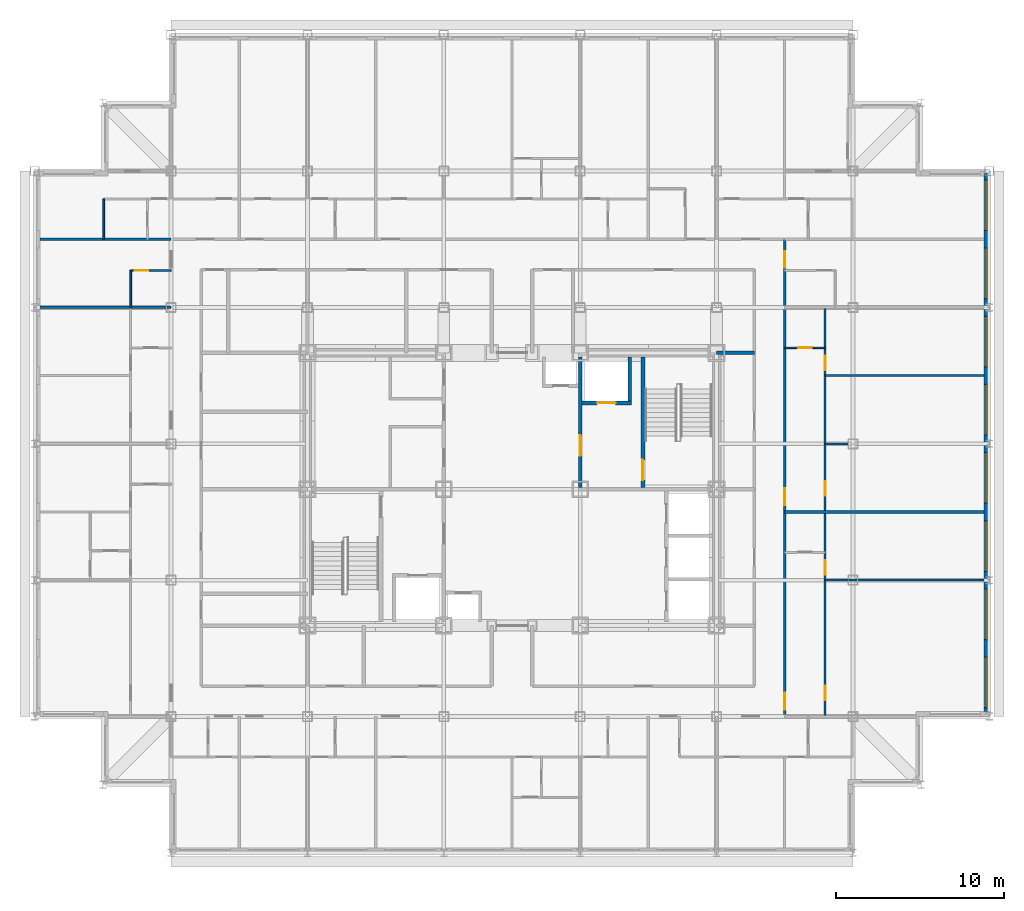
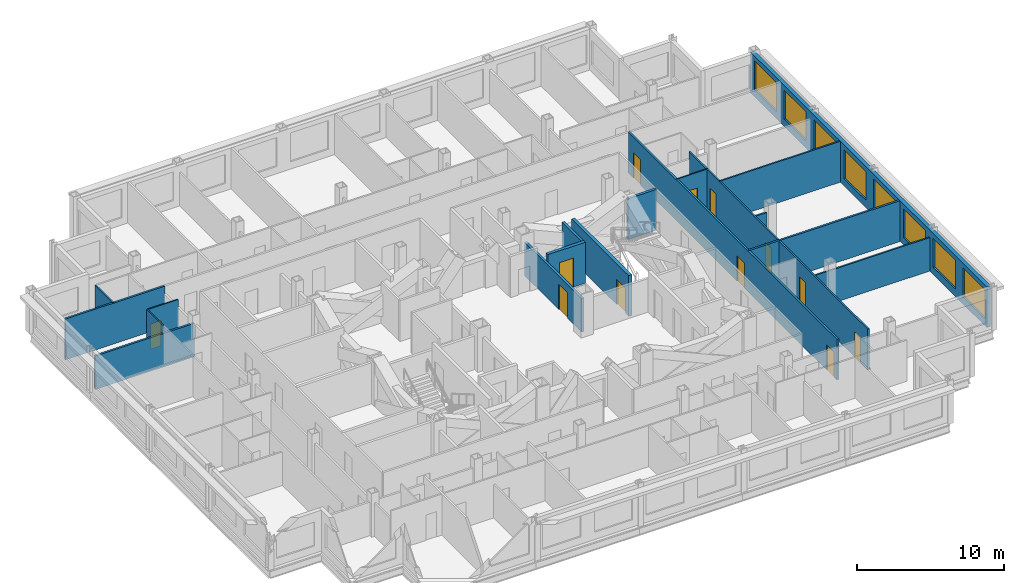
# One storey, part 8 of 12: 18 walls, 12 doors, 8 windows, 20 openings.
"""IFC4 building model written with IfcOpenShell, lengths in metres."""

from ifc_helpers import new_model, si_unit, direction, frame, frame_2d, origin, place, context, subcontext, project, spatial, rectangle, extrude, material, layer, layer_set, type_object, element, fill, save


model = new_model("IFC4")

# Units and contexts
model_context = context("Model", 3, precision=1e-05, world=origin(), true_north=direction((0.0, 1.0)))
body_context = subcontext(model_context, "Body", "Model", "MODEL_VIEW")
ifc_project = project(units=[si_unit("LENGTHUNIT", "METRE"), si_unit("AREAUNIT", "SQUARE_METRE"), si_unit("VOLUMEUNIT", "CUBIC_METRE"), si_unit("PLANEANGLEUNIT", "RADIAN"), si_unit("MASSUNIT", "GRAM", prefix="KILO")], contexts=[model_context])

# Site, building, storey
site_placement = place(None, origin())
site = spatial("IfcSite", under=ifc_project, at=site_placement, CompositionType="ELEMENT")
building_placement = place(site_placement, origin())
building = spatial("IfcBuilding", under=site, at=building_placement, Name="Kopane Lantern Tower", CompositionType="ELEMENT")
storey_placement = place(building_placement, frame((0.0, 0.0, 206.39990234375)))
storey = spatial("IfcBuildingStorey", under=building, at=storey_placement, Name="L53", CompositionType="ELEMENT", Elevation=206.39990234375)

# Wall, openings, doors
ifc_material_1 = material(Name="Gypsum board on steel studs", Category="steel")
ifc_layer_1 = layer(ifc_material_1, 0.1201171875)
ifc_layer_set_1 = layer_set([ifc_layer_1], Name="APARTMENT INTERNAL WALL 120")
wall_type_1 = type_object("IfcWallType", Name="APARTMENT INTERNAL WALL 120", PredefinedType="PARTITIONING", material=ifc_layer_set_1)
wall_1_placement = place(storey_placement, frame((46.949951171875, 18.89990234375, 0.0), z_axis=(0.0, 0.0, 1.0), x_axis=(0.0, 1.0, 0.0)))
wall_1 = element("IfcWall", 1, at=wall_1_placement, inside=storey, type_object=wall_type_1, Name="Apartment Internal Wall 120 L53", PredefinedType="PARTITIONING", context=body_context, shape_type="SweptSolid", body=[
    extrude(rectangle(XDim=24.300048828125, YDim=0.1201171875, at=frame_2d((12.14990234375, 0.0))), origin(), (0.0, 0.0, 1.0), 3.39013671875),
])
opening_1_placement = place(wall_1_placement, frame((0.97509765625, 0.0, 0.0)))
opening_1 = element("IfcOpeningElement", 2, at=opening_1_placement, cuts=wall_1, Name="Opening L53-055", PredefinedType="OPENING", context=body_context, shape_type="SweptSolid", body=[
    extrude(rectangle(XDim=0.85009765625, YDim=2.10009765625, at=frame_2d((0.425048828125, 1.050048828125))), frame((0.0, 0.070068359375, 0.0), z_axis=(0.0, -1.0, 0.0), x_axis=(1.0, 0.0, 0.0)), (0.0, 0.0, 1.0), 0.14013671875),
])
opening_2_placement = place(wall_1_placement, frame((8.425048828125, 0.0, 0.0)))
opening_2 = element("IfcOpeningElement", 3, at=opening_2_placement, cuts=wall_1, Name="Opening L53-056", PredefinedType="OPENING", context=body_context, shape_type="SweptSolid", body=[
    extrude(rectangle(XDim=0.85009765625, YDim=2.10009765625, at=frame_2d((0.425048828125, 1.050048828125))), frame((0.0, 0.070068359375, 0.0), z_axis=(0.0, -1.0, 0.0), x_axis=(1.0, 0.0, 0.0)), (0.0, 0.0, 1.0), 0.14013671875),
])
opening_3_placement = place(wall_1_placement, frame((13.125, 0.0, 0.0)))
opening_3 = element("IfcOpeningElement", 4, at=opening_3_placement, cuts=wall_1, Name="Opening L53-059", PredefinedType="OPENING", context=body_context, shape_type="SweptSolid", body=[
    extrude(rectangle(XDim=0.85009765625, YDim=2.10009765625, at=frame_2d((0.425048828125, 1.050048828125))), frame((0.0, 0.070068359375, 0.0), z_axis=(0.0, -1.0, 0.0), x_axis=(1.0, 0.0, 0.0)), (0.0, 0.0, 1.0), 0.14013671875),
])
opening_4_placement = place(wall_1_placement, frame((20.574951171875, 0.0, 0.0)))
opening_4 = element("IfcOpeningElement", 5, at=opening_4_placement, cuts=wall_1, Name="Opening L53-060", PredefinedType="OPENING", context=body_context, shape_type="SweptSolid", body=[
    extrude(rectangle(XDim=0.85009765625, YDim=2.10009765625, at=frame_2d((0.425048828125, 1.050048828125))), frame((0.0, 0.070068359375, 0.0), z_axis=(0.0, -1.0, 0.0), x_axis=(1.0, 0.0, 0.0)), (0.0, 0.0, 1.0), 0.14013671875),
])
ifc_material_2 = material(Name="Timber door set", Category="wood")
door_type_1 = type_object("IfcDoorType", Name="DOOR D4 850x2100", OperationType="SINGLE_SWING_LEFT", PredefinedType="DOOR", material=ifc_material_2)
door_1_placement = place(opening_1_placement, origin())
door_1 = element("IfcDoor", 6, at=door_1_placement, inside=storey, type_object=door_type_1, Name="Door L53-055", OperationType="SINGLE_SWING_LEFT", OverallHeight=2.10009765625, OverallWidth=0.85009765625, PredefinedType="DOOR", context=body_context, shape_type="SweptSolid", body=[
    extrude(rectangle(XDim=0.85009765625, YDim=2.10009765625, at=frame_2d((0.425048828125, 1.050048828125))), frame((0.0, 0.02490234375, 0.0), z_axis=(0.0, -1.0, 0.0), x_axis=(1.0, 0.0, 0.0)), (0.0, 0.0, 1.0), 0.050048828125),
])
fill(opening_1, door_1)
door_2_placement = place(opening_2_placement, origin())
door_2 = element("IfcDoor", 7, at=door_2_placement, inside=storey, type_object=door_type_1, Name="Door L53-056", OperationType="SINGLE_SWING_RIGHT", OverallHeight=2.10009765625, OverallWidth=0.85009765625, PredefinedType="DOOR", context=body_context, shape_type="SweptSolid", body=[
    extrude(rectangle(XDim=0.85009765625, YDim=2.10009765625, at=frame_2d((0.425048828125, 1.050048828125))), frame((0.0, 0.02490234375, 0.0), z_axis=(0.0, -1.0, 0.0), x_axis=(1.0, 0.0, 0.0)), (0.0, 0.0, 1.0), 0.050048828125),
])
fill(opening_2, door_2)
door_3_placement = place(opening_3_placement, origin())
door_3 = element("IfcDoor", 8, at=door_3_placement, inside=storey, type_object=door_type_1, Name="Door L53-059", OperationType="SINGLE_SWING_LEFT", OverallHeight=2.10009765625, OverallWidth=0.85009765625, PredefinedType="DOOR", context=body_context, shape_type="SweptSolid", body=[
    extrude(rectangle(XDim=0.85009765625, YDim=2.10009765625, at=frame_2d((0.425048828125, 1.050048828125))), frame((0.0, 0.02490234375, 0.0), z_axis=(0.0, -1.0, 0.0), x_axis=(1.0, 0.0, 0.0)), (0.0, 0.0, 1.0), 0.050048828125),
])
fill(opening_3, door_3)
door_4_placement = place(opening_4_placement, origin())
door_4 = element("IfcDoor", 9, at=door_4_placement, inside=storey, type_object=door_type_1, Name="Door L53-060", OperationType="SINGLE_SWING_RIGHT", OverallHeight=2.10009765625, OverallWidth=0.85009765625, PredefinedType="DOOR", context=body_context, shape_type="SweptSolid", body=[
    extrude(rectangle(XDim=0.85009765625, YDim=2.10009765625, at=frame_2d((0.425048828125, 1.050048828125))), frame((0.0, 0.02490234375, 0.0), z_axis=(0.0, -1.0, 0.0), x_axis=(1.0, 0.0, 0.0)), (0.0, 0.0, 1.0), 0.050048828125),
])
fill(opening_4, door_4)

# Walls
wall_2_placement = place(storey_placement, frame((46.949951171875, 27.0, 0.0), z_axis=(0.0, 0.0, 1.0), x_axis=(1.0, 0.0, 0.0)))
element("IfcWall", 10, at=wall_2_placement, inside=storey, type_object=wall_type_1, Name="Apartment Internal Wall 120 L53", PredefinedType="PARTITIONING", context=body_context, shape_type="SweptSolid", body=[
    extrude(rectangle(XDim=9.449951171875, YDim=0.1201171875, at=frame_2d((4.72509765625, 0.0))), origin(), (0.0, 0.0, 1.0), 2.77783203125),
])
wall_3_placement = place(storey_placement, frame((46.949951171875, 39.14990234375, 0.0), z_axis=(0.0, 0.0, 1.0), x_axis=(1.0, 0.0, 0.0)))
element("IfcWall", 11, at=wall_3_placement, inside=storey, type_object=wall_type_1, Name="Apartment Internal Wall 120 L53", PredefinedType="PARTITIONING", context=body_context, shape_type="SweptSolid", body=[
    extrude(rectangle(XDim=9.449951171875, YDim=0.1201171875, at=frame_2d((4.72509765625, 0.0))), origin(), (0.0, 0.0, 1.0), 3.39013671875),
])
wall_4_placement = place(storey_placement, frame((46.949951171875, 35.10009765625, 0.0), z_axis=(0.0, 0.0, 1.0), x_axis=(1.0, 0.0, 0.0)))
element("IfcWall", 12, at=wall_4_placement, inside=storey, type_object=wall_type_1, Name="Apartment Internal Wall 120 L53", PredefinedType="PARTITIONING", context=body_context, shape_type="SweptSolid", body=[
    extrude(rectangle(XDim=1.35009765625, YDim=0.1201171875, at=frame_2d((0.675048828125, 0.0))), origin(), (0.0, 0.0, 1.0), 2.77783203125),
])
ifc_material_3 = material(Name="Moisture-resistant board on steel studs", Category="steel")
ifc_layer_2 = layer(ifc_material_3, 0.10009765625)
ifc_layer_set_2 = layer_set([ifc_layer_2], Name="BATHROOM WALL 100")
wall_type_2 = type_object("IfcWallType", Name="BATHROOM WALL 100", PredefinedType="PARTITIONING", material=ifc_layer_set_2)
wall_5_placement = place(storey_placement, frame((5.699951171875, 43.199951171875, 0.0), z_axis=(0.0, 0.0, 1.0), x_axis=(0.0, 1.0, 0.0)))
element("IfcWall", 13, at=wall_5_placement, inside=storey, type_object=wall_type_2, Name="Bathroom Wall 100 L53", PredefinedType="PARTITIONING", context=body_context, shape_type="SweptSolid", body=[
    extrude(rectangle(XDim=2.199951171875, YDim=0.10009765625, at=frame_2d((1.10009765625, 0.0))), origin(), (0.0, 0.0, 1.0), 3.39013671875),
])

# Wall, opening, door
wall_6_placement = place(storey_placement, frame((8.10009765625, 45.39990234375, 0.0), z_axis=(0.0, 0.0, 1.0), x_axis=(-1.0, 0.0, 0.0)))
wall_6 = element("IfcWall", 14, at=wall_6_placement, inside=storey, type_object=wall_type_2, Name="Bathroom Wall 100 L53", PredefinedType="PARTITIONING", context=body_context, shape_type="SweptSolid", body=[
    extrude(rectangle(XDim=2.400146484375, YDim=0.10009765625, at=frame_2d((1.2001953125, 0.0))), origin(), (0.0, 0.0, 1.0), 3.39013671875),
])
opening_5_placement = place(wall_6_placement, frame((1.35009765625, 0.0, 0.0)))
opening_5 = element("IfcOpeningElement", 15, at=opening_5_placement, cuts=wall_6, Name="Opening L53-051", PredefinedType="OPENING", context=body_context, shape_type="SweptSolid", body=[
    extrude(rectangle(XDim=0.800048828125, YDim=2.10009765625, at=frame_2d((0.39990234375, 1.050048828125))), frame((0.0, 0.06005859375, 0.0), z_axis=(0.0, -1.0, 0.0), x_axis=(1.0, 0.0, 0.0)), (0.0, 0.0, 1.0), 0.1201171875),
])
ifc_material_4 = material(Name="Timber door set", Category="wood")
door_type_2 = type_object("IfcDoorType", Name="DOOR D2 800x2100", OperationType="SINGLE_SWING_LEFT", PredefinedType="DOOR", material=ifc_material_4)
door_5_placement = place(opening_5_placement, origin())
door_5 = element("IfcDoor", 16, at=door_5_placement, inside=storey, type_object=door_type_2, Name="Door L53-051", OperationType="SINGLE_SWING_RIGHT", OverallHeight=2.10009765625, OverallWidth=0.800048828125, PredefinedType="DOOR", context=body_context, shape_type="SweptSolid", body=[
    extrude(rectangle(XDim=0.800048828125, YDim=2.10009765625, at=frame_2d((0.39990234375, 1.050048828125))), frame((0.0, 0.02490234375, 0.0), z_axis=(0.0, -1.0, 0.0), x_axis=(1.0, 0.0, 0.0)), (0.0, 0.0, 1.0), 0.050048828125),
])
fill(opening_5, door_5)

wall_7_placement = place(storey_placement, frame((44.550048828125, 40.800048828125, 0.0), z_axis=(0.0, 0.0, 1.0), x_axis=(1.0, 0.0, 0.0)))
wall_7 = element("IfcWall", 17, at=wall_7_placement, inside=storey, type_object=wall_type_2, Name="Bathroom Wall 100 L53", PredefinedType="PARTITIONING", context=body_context, shape_type="SweptSolid", body=[
    extrude(rectangle(XDim=2.39990234375, YDim=0.10009765625, at=frame_2d((1.199951171875, 0.0))), origin(), (0.0, 0.0, 1.0), 3.39013671875),
])
opening_6_placement = place(wall_7_placement, frame((0.800048828125, 0.0, 0.0)))
opening_6 = element("IfcOpeningElement", 18, at=opening_6_placement, cuts=wall_7, Name="Opening L53-057", PredefinedType="OPENING", context=body_context, shape_type="SweptSolid", body=[
    extrude(rectangle(XDim=0.800048828125, YDim=2.10009765625, at=frame_2d((0.39990234375, 1.050048828125))), frame((0.0, 0.06005859375, 0.0), z_axis=(0.0, -1.0, 0.0), x_axis=(1.0, 0.0, 0.0)), (0.0, 0.0, 1.0), 0.1201171875),
])
door_6_placement = place(opening_6_placement, origin())
door_6 = element("IfcDoor", 19, at=door_6_placement, inside=storey, type_object=door_type_2, Name="Door L53-057", OperationType="SINGLE_SWING_LEFT", OverallHeight=2.10009765625, OverallWidth=0.800048828125, PredefinedType="DOOR", context=body_context, shape_type="SweptSolid", body=[
    extrude(rectangle(XDim=0.800048828125, YDim=2.10009765625, at=frame_2d((0.39990234375, 1.050048828125))), frame((0.0, 0.02490234375, 0.0), z_axis=(0.0, -1.0, 0.0), x_axis=(1.0, 0.0, 0.0)), (0.0, 0.0, 1.0), 0.050048828125),
])
fill(opening_6, door_6)

# Wall
wall_8_placement = place(storey_placement, frame((4.10009765625, 47.25, 0.0), z_axis=(0.0, 0.0, 1.0), x_axis=(0.0, 1.0, 0.0)))
element("IfcWall", 20, at=wall_8_placement, inside=storey, type_object=wall_type_2, Name="Bathroom Wall 100 L53", PredefinedType="PARTITIONING", context=body_context, shape_type="SweptSolid", body=[
    extrude(rectangle(XDim=2.39990234375, YDim=0.10009765625, at=frame_2d((1.199951171875, 0.0))), origin(), (0.0, 0.0, 1.0), 3.39013671875),
])

# Wall, opening, door
ifc_material_5 = material(Name="Gypsum shaft wall EI 120", Category="gypsum")
ifc_layer_3 = layer(ifc_material_5, 0.25)
ifc_layer_set_3 = layer_set([ifc_layer_3], Name="CORE SHAFT WALL 250 EI 120")
wall_type_3 = type_object("IfcWallType", Name="CORE SHAFT WALL 250 EI 120", PredefinedType="SOLIDWALL", material=ifc_layer_set_3)
wall_9_placement = place(storey_placement, frame((36.125, 32.5, 0.0), z_axis=(0.0, 0.0, 1.0), x_axis=(0.0, 1.0, 0.0)))
wall_9 = element("IfcWall", 21, at=wall_9_placement, inside=storey, type_object=wall_type_3, Name="Core shaft wall L53 XST2", PredefinedType="SOLIDWALL", context=body_context, shape_type="SweptSolid", body=[
    extrude(rectangle(XDim=7.75, YDim=0.25, at=frame_2d((3.875, 0.0))), origin(), (0.0, 0.0, 1.0), 3.39013671875),
])
opening_7_placement = place(wall_9_placement, frame((0.449951171875, 0.0, 0.0)))
opening_7 = element("IfcOpeningElement", 22, at=opening_7_placement, cuts=wall_9, Name="Opening 53.SD2", PredefinedType="OPENING", context=body_context, shape_type="SweptSolid", body=[
    extrude(rectangle(XDim=1.199951171875, YDim=2.10009765625, at=frame_2d((0.60009765625, 1.050048828125))), frame((0.0, 0.135009765625, 0.0), z_axis=(0.0, -1.0, 0.0), x_axis=(1.0, 0.0, 0.0)), (0.0, 0.0, 1.0), 0.27001953125),
])
ifc_material_6 = material(Name="Steel door set", Category="steel")
door_type_3 = type_object("IfcDoorType", Name="STAIR DOOR 1200x2100 FD60S", OperationType="SINGLE_SWING_LEFT", PredefinedType="DOOR", material=ifc_material_6)
door_7_placement = place(opening_7_placement, origin())
door_7 = element("IfcDoor", 23, at=door_7_placement, inside=storey, type_object=door_type_3, Name="Stair door ST2 L53", OperationType="SINGLE_SWING_RIGHT", OverallHeight=2.10009765625, OverallWidth=1.199951171875, PredefinedType="DOOR", context=body_context, shape_type="SweptSolid", body=[
    extrude(rectangle(XDim=1.199951171875, YDim=2.10009765625, at=frame_2d((0.60009765625, 1.050048828125))), frame((0.0, 0.02490234375, 0.0), z_axis=(0.0, -1.0, 0.0), x_axis=(1.0, 0.0, 0.0)), (0.0, 0.0, 1.0), 0.050048828125),
])
fill(opening_7, door_7)

wall_10_placement = place(storey_placement, frame((32.5, 37.52490234375, 0.0), z_axis=(0.0, 0.0, 1.0), x_axis=(1.0, 0.0, 0.0)))
wall_10 = element("IfcWall", 24, at=wall_10_placement, inside=storey, type_object=wall_type_3, Name="Core shaft wall L53 YLF2", PredefinedType="SOLIDWALL", context=body_context, shape_type="SweptSolid", body=[
    extrude(rectangle(XDim=2.949951171875, YDim=0.25, at=frame_2d((1.47509765625, 0.0))), origin(), (0.0, 0.0, 1.0), 3.39013671875),
])
opening_8_placement = place(wall_10_placement, frame((0.89990234375, 0.0, 0.0)))
opening_8 = element("IfcOpeningElement", 25, at=opening_8_placement, cuts=wall_10, Name="Opening 53.LD-LF2", PredefinedType="OPENING", context=body_context, shape_type="SweptSolid", body=[
    extrude(rectangle(XDim=1.10009765625, YDim=2.39990234375, at=frame_2d((0.550048828125, 1.199951171875))), frame((0.0, 0.135009765625, 0.0), z_axis=(0.0, -1.0, 0.0), x_axis=(1.0, 0.0, 0.0)), (0.0, 0.0, 1.0), 0.27001953125),
])
ifc_material_7 = material(Name="Steel door set", Category="steel")
door_type_4 = type_object("IfcDoorType", Name="LIFT LANDING DOOR 1100x2400 FD60", OperationType="DOUBLE_DOOR_SLIDING", PredefinedType="DOOR", material=ifc_material_7)
door_8_placement = place(opening_8_placement, origin())
door_8 = element("IfcDoor", 26, at=door_8_placement, inside=storey, type_object=door_type_4, Name="Landing door LF2 L53", OperationType="DOUBLE_DOOR_SLIDING", OverallHeight=2.39990234375, OverallWidth=1.10009765625, PredefinedType="DOOR", context=body_context, shape_type="SweptSolid", body=[
    extrude(rectangle(XDim=1.10009765625, YDim=2.39990234375, at=frame_2d((0.550048828125, 1.199951171875))), frame((0.0, 0.02490234375, 0.0), z_axis=(0.0, -1.0, 0.0), x_axis=(1.0, 0.0, 0.0)), (0.0, 0.0, 1.0), 0.050048828125),
])
fill(opening_8, door_8)

# Wall, openings, doors
ifc_material_8 = material(Name="Gypsum board on steel studs", Category="steel")
ifc_layer_4 = layer(ifc_material_8, 0.14990234375)
ifc_layer_set_4 = layer_set([ifc_layer_4], Name="CORRIDOR WALL 150 EI 60")
wall_type_4 = type_object("IfcWallType", Name="CORRIDOR WALL 150 EI 60", PredefinedType="PARTITIONING", material=ifc_layer_set_4)
wall_11_placement = place(storey_placement, frame((44.550048828125, 18.89990234375, 0.0), z_axis=(0.0, 0.0, 1.0), x_axis=(0.0, 1.0, 0.0)))
wall_11 = element("IfcWall", 27, at=wall_11_placement, inside=storey, type_object=wall_type_4, Name="Corridor Wall 150 Ei 60 L53", PredefinedType="PARTITIONING", context=body_context, shape_type="SweptSolid", body=[
    extrude(rectangle(XDim=28.35009765625, YDim=0.14990234375, at=frame_2d((14.175048828125, 0.0))), origin(), (0.0, 0.0, 1.0), 3.39013671875),
])
opening_9_placement = place(wall_11_placement, frame((0.39990234375, 0.0, 0.0)))
opening_9 = element("IfcOpeningElement", 28, at=opening_9_placement, cuts=wall_11, Name="Opening L53-054", PredefinedType="OPENING", context=body_context, shape_type="SweptSolid", body=[
    extrude(rectangle(XDim=1.0, YDim=2.10009765625, at=frame_2d((0.5, 1.050048828125))), frame((0.0, 0.0849609375, 0.0), z_axis=(0.0, -1.0, 0.0), x_axis=(1.0, 0.0, 0.0)), (0.0, 0.0, 1.0), 0.169921875),
])
opening_10_placement = place(wall_11_placement, frame((12.550048828125, 0.0, 0.0)))
opening_10 = element("IfcOpeningElement", 29, at=opening_10_placement, cuts=wall_11, Name="Opening L53-058", PredefinedType="OPENING", context=body_context, shape_type="SweptSolid", body=[
    extrude(rectangle(XDim=1.0, YDim=2.10009765625, at=frame_2d((0.5, 1.050048828125))), frame((0.0, 0.0849609375, 0.0), z_axis=(0.0, -1.0, 0.0), x_axis=(1.0, 0.0, 0.0)), (0.0, 0.0, 1.0), 0.169921875),
])
opening_11_placement = place(wall_11_placement, frame((26.64990234375, 0.0, 0.0)))
opening_11 = element("IfcOpeningElement", 30, at=opening_11_placement, cuts=wall_11, Name="Opening L53-062", PredefinedType="OPENING", context=body_context, shape_type="SweptSolid", body=[
    extrude(rectangle(XDim=1.0, YDim=2.10009765625, at=frame_2d((0.5, 1.050048828125))), frame((0.0, 0.0849609375, 0.0), z_axis=(0.0, -1.0, 0.0), x_axis=(1.0, 0.0, 0.0)), (0.0, 0.0, 1.0), 0.169921875),
])
ifc_material_9 = material(Name="Steel door set", Category="steel")
door_type_5 = type_object("IfcDoorType", Name="DOOR D3 1000x2100 FD30S", OperationType="SINGLE_SWING_LEFT", PredefinedType="DOOR", material=ifc_material_9)
door_9_placement = place(opening_9_placement, origin())
door_9 = element("IfcDoor", 31, at=door_9_placement, inside=storey, type_object=door_type_5, Name="Door L53-054", OperationType="SINGLE_SWING_RIGHT", OverallHeight=2.10009765625, OverallWidth=1.0, PredefinedType="DOOR", context=body_context, shape_type="SweptSolid", body=[
    extrude(rectangle(XDim=1.0, YDim=2.10009765625, at=frame_2d((0.5, 1.050048828125))), frame((0.0, 0.02490234375, 0.0), z_axis=(0.0, -1.0, 0.0), x_axis=(1.0, 0.0, 0.0)), (0.0, 0.0, 1.0), 0.050048828125),
])
fill(opening_9, door_9)
door_10_placement = place(opening_10_placement, origin())
door_10 = element("IfcDoor", 32, at=door_10_placement, inside=storey, type_object=door_type_5, Name="Door L53-058", OperationType="SINGLE_SWING_RIGHT", OverallHeight=2.10009765625, OverallWidth=1.0, PredefinedType="DOOR", context=body_context, shape_type="SweptSolid", body=[
    extrude(rectangle(XDim=1.0, YDim=2.10009765625, at=frame_2d((0.5, 1.050048828125))), frame((0.0, 0.02490234375, 0.0), z_axis=(0.0, -1.0, 0.0), x_axis=(1.0, 0.0, 0.0)), (0.0, 0.0, 1.0), 0.050048828125),
])
fill(opening_10, door_10)
door_11_placement = place(opening_11_placement, origin())
door_11 = element("IfcDoor", 33, at=door_11_placement, inside=storey, type_object=door_type_5, Name="Door L53-062", OperationType="SINGLE_SWING_RIGHT", OverallHeight=2.10009765625, OverallWidth=1.0, PredefinedType="DOOR", context=body_context, shape_type="SweptSolid", body=[
    extrude(rectangle(XDim=1.0, YDim=2.10009765625, at=frame_2d((0.5, 1.050048828125))), frame((0.0, 0.02490234375, 0.0), z_axis=(0.0, -1.0, 0.0), x_axis=(1.0, 0.0, 0.0)), (0.0, 0.0, 1.0), 0.050048828125),
])
fill(opening_11, door_11)

# Walls
ifc_material_10 = material(Name="Gypsum board on steel studs", Category="steel")
ifc_layer_5 = layer(ifc_material_10, 0.14990234375)
ifc_layer_set_5 = layer_set([ifc_layer_5], Name="DEMISING WALL 150 EI 60")
wall_type_5 = type_object("IfcWallType", Name="DEMISING WALL 150 EI 60", PredefinedType="PARTITIONING", material=ifc_layer_set_5)
wall_12_placement = place(storey_placement, frame((8.10009765625, 43.199951171875, 0.0), z_axis=(0.0, 0.0, 1.0), x_axis=(-1.0, 0.0, 0.0)))
element("IfcWall", 34, at=wall_12_placement, inside=storey, type_object=wall_type_5, Name="Demising Wall 150 Ei 60 L53", PredefinedType="PARTITIONING", context=body_context, shape_type="SweptSolid", body=[
    extrude(rectangle(XDim=7.800048828125, YDim=0.14990234375, at=frame_2d((3.89990234375, 0.0))), origin(), (0.0, 0.0, 1.0), 2.77783203125),
])
wall_13_placement = place(storey_placement, frame((44.550048828125, 31.050048828125, 0.0), z_axis=(0.0, 0.0, 1.0), x_axis=(1.0, 0.0, 0.0)))
element("IfcWall", 35, at=wall_13_placement, inside=storey, type_object=wall_type_5, Name="Demising Wall 150 Ei 60 L53", PredefinedType="PARTITIONING", context=body_context, shape_type="SweptSolid", body=[
    extrude(rectangle(XDim=11.849853515625, YDim=0.14990234375, at=frame_2d((5.9248046875, 0.0))), origin(), (0.0, 0.0, 1.0), 3.39013671875),
])
wall_14_placement = place(storey_placement, frame((0.300048828125, 47.25, 0.0), z_axis=(0.0, 0.0, 1.0), x_axis=(1.0, 0.0, 0.0)))
element("IfcWall", 36, at=wall_14_placement, inside=storey, type_object=wall_type_5, Name="Demising Wall 150 Ei 60 L53", PredefinedType="PARTITIONING", context=body_context, shape_type="SweptSolid", body=[
    extrude(rectangle(XDim=7.800048828125, YDim=0.14990234375, at=frame_2d((3.89990234375, 0.0))), origin(), (0.0, 0.0, 1.0), 3.39013671875),
])

# Wall, openings, windows
ifc_material_11 = material(Name="Terracotta rainscreen on light steel framing", Category="masonry")
ifc_layer_6 = layer(ifc_material_11, 0.300048828125)
ifc_layer_set_6 = layer_set([ifc_layer_6], Name="EXTERNAL WALL EW1 300 TERRACOTTA")
wall_type_6 = type_object("IfcWallType", Name="EXTERNAL WALL EW1 300 TERRACOTTA", PredefinedType="SOLIDWALL", material=ifc_layer_set_6)
wall_15_placement = place(storey_placement, frame((56.550048828125, 19.199951171875, 0.0), z_axis=(0.0, 0.0, 1.0), x_axis=(0.0, 1.0, 0.0)))
wall_15 = element("IfcWall", 37, at=wall_15_placement, inside=storey, type_object=wall_type_6, Name="External wall E L53", PredefinedType="SOLIDWALL", context=body_context, shape_type="SweptSolid", body=[
    extrude(rectangle(XDim=32.10009765625, YDim=0.300048828125, at=frame_2d((16.050048828125, 0.0))), origin(), (0.0, 0.0, 1.0), 3.39013671875),
])
opening_12_placement = place(wall_15_placement, frame((0.22509765625, 0.0, 0.60009765625)))
opening_12 = element("IfcOpeningElement", 38, at=opening_12_placement, cuts=wall_15, Name="Opening WR300240", PredefinedType="OPENING", context=body_context, shape_type="SweptSolid", body=[
    extrude(rectangle(XDim=3.0, YDim=2.39990234375, at=frame_2d((1.5, 1.199951171875))), frame((0.0, 0.159912109375, 0.0), z_axis=(0.0, -1.0, 0.0), x_axis=(1.0, 0.0, 0.0)), (0.0, 0.0, 1.0), 0.320068359375),
])
opening_13_placement = place(wall_15_placement, frame((4.27490234375, 0.0, 0.60009765625)))
opening_13 = element("IfcOpeningElement", 39, at=opening_13_placement, cuts=wall_15, Name="Opening WR300240", PredefinedType="OPENING", context=body_context, shape_type="SweptSolid", body=[
    extrude(rectangle(XDim=3.0, YDim=2.39990234375, at=frame_2d((1.5, 1.199951171875))), frame((0.0, 0.159912109375, 0.0), z_axis=(0.0, -1.0, 0.0), x_axis=(1.0, 0.0, 0.0)), (0.0, 0.0, 1.0), 0.320068359375),
])
opening_14_placement = place(wall_15_placement, frame((8.324951171875, 0.0, 0.60009765625)))
opening_14 = element("IfcOpeningElement", 40, at=opening_14_placement, cuts=wall_15, Name="Opening WR300240", PredefinedType="OPENING", context=body_context, shape_type="SweptSolid", body=[
    extrude(rectangle(XDim=3.0, YDim=2.39990234375, at=frame_2d((1.5, 1.199951171875))), frame((0.0, 0.159912109375, 0.0), z_axis=(0.0, -1.0, 0.0), x_axis=(1.0, 0.0, 0.0)), (0.0, 0.0, 1.0), 0.320068359375),
])
opening_15_placement = place(wall_15_placement, frame((12.375, 0.0, 0.60009765625)))
opening_15 = element("IfcOpeningElement", 41, at=opening_15_placement, cuts=wall_15, Name="Opening WR300240", PredefinedType="OPENING", context=body_context, shape_type="SweptSolid", body=[
    extrude(rectangle(XDim=3.0, YDim=2.39990234375, at=frame_2d((1.5, 1.199951171875))), frame((0.0, 0.159912109375, 0.0), z_axis=(0.0, -1.0, 0.0), x_axis=(1.0, 0.0, 0.0)), (0.0, 0.0, 1.0), 0.320068359375),
])
opening_16_placement = place(wall_15_placement, frame((16.425048828125, 0.0, 0.60009765625)))
opening_16 = element("IfcOpeningElement", 42, at=opening_16_placement, cuts=wall_15, Name="Opening WR300240", PredefinedType="OPENING", context=body_context, shape_type="SweptSolid", body=[
    extrude(rectangle(XDim=3.0, YDim=2.39990234375, at=frame_2d((1.5, 1.199951171875))), frame((0.0, 0.159912109375, 0.0), z_axis=(0.0, -1.0, 0.0), x_axis=(1.0, 0.0, 0.0)), (0.0, 0.0, 1.0), 0.320068359375),
])
opening_17_placement = place(wall_15_placement, frame((20.47509765625, 0.0, 0.60009765625)))
opening_17 = element("IfcOpeningElement", 43, at=opening_17_placement, cuts=wall_15, Name="Opening WR300240", PredefinedType="OPENING", context=body_context, shape_type="SweptSolid", body=[
    extrude(rectangle(XDim=3.0, YDim=2.39990234375, at=frame_2d((1.5, 1.199951171875))), frame((0.0, 0.159912109375, 0.0), z_axis=(0.0, -1.0, 0.0), x_axis=(1.0, 0.0, 0.0)), (0.0, 0.0, 1.0), 0.320068359375),
])
opening_18_placement = place(wall_15_placement, frame((24.52490234375, 0.0, 0.60009765625)))
opening_18 = element("IfcOpeningElement", 44, at=opening_18_placement, cuts=wall_15, Name="Opening WR300240", PredefinedType="OPENING", context=body_context, shape_type="SweptSolid", body=[
    extrude(rectangle(XDim=3.0, YDim=2.39990234375, at=frame_2d((1.5, 1.199951171875))), frame((0.0, 0.159912109375, 0.0), z_axis=(0.0, -1.0, 0.0), x_axis=(1.0, 0.0, 0.0)), (0.0, 0.0, 1.0), 0.320068359375),
])
opening_19_placement = place(wall_15_placement, frame((28.574951171875, 0.0, 0.60009765625)))
opening_19 = element("IfcOpeningElement", 45, at=opening_19_placement, cuts=wall_15, Name="Opening WR300240", PredefinedType="OPENING", context=body_context, shape_type="SweptSolid", body=[
    extrude(rectangle(XDim=3.0, YDim=2.39990234375, at=frame_2d((1.5, 1.199951171875))), frame((0.0, 0.159912109375, 0.0), z_axis=(0.0, -1.0, 0.0), x_axis=(1.0, 0.0, 0.0)), (0.0, 0.0, 1.0), 0.320068359375),
])
ifc_material_12 = material(Name="Aluminium and clear glass", Category="aluminium")
window_type = type_object("IfcWindowType", Name="RIBBON WINDOW WR300240 3000x2400", PartitioningType="SINGLE_PANEL", PredefinedType="WINDOW", material=ifc_material_12)
window_1_placement = place(opening_12_placement, origin())
window_1 = element("IfcWindow", 46, at=window_1_placement, inside=storey, type_object=window_type, Name="Window E L53", OverallHeight=2.39990234375, OverallWidth=3.0, PartitioningType="SINGLE_PANEL", PredefinedType="WINDOW", context=body_context, shape_type="SweptSolid", body=[
    extrude(rectangle(XDim=3.0, YDim=2.39990234375, at=frame_2d((1.5, 1.199951171875))), frame((0.0, 0.030029296875, 0.0), z_axis=(0.0, -1.0, 0.0), x_axis=(1.0, 0.0, 0.0)), (0.0, 0.0, 1.0), 0.06005859375),
])
fill(opening_12, window_1)
window_2_placement = place(opening_13_placement, origin())
window_2 = element("IfcWindow", 47, at=window_2_placement, inside=storey, type_object=window_type, Name="Window E L53", OverallHeight=2.39990234375, OverallWidth=3.0, PartitioningType="SINGLE_PANEL", PredefinedType="WINDOW", context=body_context, shape_type="SweptSolid", body=[
    extrude(rectangle(XDim=3.0, YDim=2.39990234375, at=frame_2d((1.5, 1.199951171875))), frame((0.0, 0.030029296875, 0.0), z_axis=(0.0, -1.0, 0.0), x_axis=(1.0, 0.0, 0.0)), (0.0, 0.0, 1.0), 0.06005859375),
])
fill(opening_13, window_2)
window_3_placement = place(opening_14_placement, origin())
window_3 = element("IfcWindow", 48, at=window_3_placement, inside=storey, type_object=window_type, Name="Window E L53", OverallHeight=2.39990234375, OverallWidth=3.0, PartitioningType="SINGLE_PANEL", PredefinedType="WINDOW", context=body_context, shape_type="SweptSolid", body=[
    extrude(rectangle(XDim=3.0, YDim=2.39990234375, at=frame_2d((1.5, 1.199951171875))), frame((0.0, 0.030029296875, 0.0), z_axis=(0.0, -1.0, 0.0), x_axis=(1.0, 0.0, 0.0)), (0.0, 0.0, 1.0), 0.06005859375),
])
fill(opening_14, window_3)
window_4_placement = place(opening_15_placement, origin())
window_4 = element("IfcWindow", 49, at=window_4_placement, inside=storey, type_object=window_type, Name="Window E L53", OverallHeight=2.39990234375, OverallWidth=3.0, PartitioningType="SINGLE_PANEL", PredefinedType="WINDOW", context=body_context, shape_type="SweptSolid", body=[
    extrude(rectangle(XDim=3.0, YDim=2.39990234375, at=frame_2d((1.5, 1.199951171875))), frame((0.0, 0.030029296875, 0.0), z_axis=(0.0, -1.0, 0.0), x_axis=(1.0, 0.0, 0.0)), (0.0, 0.0, 1.0), 0.06005859375),
])
fill(opening_15, window_4)
window_5_placement = place(opening_16_placement, origin())
window_5 = element("IfcWindow", 50, at=window_5_placement, inside=storey, type_object=window_type, Name="Window E L53", OverallHeight=2.39990234375, OverallWidth=3.0, PartitioningType="SINGLE_PANEL", PredefinedType="WINDOW", context=body_context, shape_type="SweptSolid", body=[
    extrude(rectangle(XDim=3.0, YDim=2.39990234375, at=frame_2d((1.5, 1.199951171875))), frame((0.0, 0.030029296875, 0.0), z_axis=(0.0, -1.0, 0.0), x_axis=(1.0, 0.0, 0.0)), (0.0, 0.0, 1.0), 0.06005859375),
])
fill(opening_16, window_5)
window_6_placement = place(opening_17_placement, origin())
window_6 = element("IfcWindow", 51, at=window_6_placement, inside=storey, type_object=window_type, Name="Window E L53", OverallHeight=2.39990234375, OverallWidth=3.0, PartitioningType="SINGLE_PANEL", PredefinedType="WINDOW", context=body_context, shape_type="SweptSolid", body=[
    extrude(rectangle(XDim=3.0, YDim=2.39990234375, at=frame_2d((1.5, 1.199951171875))), frame((0.0, 0.030029296875, 0.0), z_axis=(0.0, -1.0, 0.0), x_axis=(1.0, 0.0, 0.0)), (0.0, 0.0, 1.0), 0.06005859375),
])
fill(opening_17, window_6)
window_7_placement = place(opening_18_placement, origin())
window_7 = element("IfcWindow", 52, at=window_7_placement, inside=storey, type_object=window_type, Name="Window E L53", OverallHeight=2.39990234375, OverallWidth=3.0, PartitioningType="SINGLE_PANEL", PredefinedType="WINDOW", context=body_context, shape_type="SweptSolid", body=[
    extrude(rectangle(XDim=3.0, YDim=2.39990234375, at=frame_2d((1.5, 1.199951171875))), frame((0.0, 0.030029296875, 0.0), z_axis=(0.0, -1.0, 0.0), x_axis=(1.0, 0.0, 0.0)), (0.0, 0.0, 1.0), 0.06005859375),
])
fill(opening_18, window_7)
window_8_placement = place(opening_19_placement, origin())
window_8 = element("IfcWindow", 53, at=window_8_placement, inside=storey, type_object=window_type, Name="Window E L53", OverallHeight=2.39990234375, OverallWidth=3.0, PartitioningType="SINGLE_PANEL", PredefinedType="WINDOW", context=body_context, shape_type="SweptSolid", body=[
    extrude(rectangle(XDim=3.0, YDim=2.39990234375, at=frame_2d((1.5, 1.199951171875))), frame((0.0, 0.030029296875, 0.0), z_axis=(0.0, -1.0, 0.0), x_axis=(1.0, 0.0, 0.0)), (0.0, 0.0, 1.0), 0.06005859375),
])
fill(opening_19, window_8)

# Wall
ifc_material_13 = material(Name="Concrete masonry", Category="masonry")
ifc_layer_7 = layer(ifc_material_13, 0.199951171875)
ifc_layer_set_7 = layer_set([ifc_layer_7], Name="PLANT ROOM WALL 200 EI 120")
wall_type_7 = type_object("IfcWallType", Name="PLANT ROOM WALL 200 EI 120", PredefinedType="SOLIDWALL", material=ifc_layer_set_7)
wall_16_placement = place(storey_placement, frame((40.5, 40.5, 0.0), z_axis=(0.0, 0.0, 1.0), x_axis=(1.0, 0.0, 0.0)))
element("IfcWall", 54, at=wall_16_placement, inside=storey, type_object=wall_type_7, Name="Plant Room Wall 200 Ei 120 L53", PredefinedType="SOLIDWALL", context=body_context, shape_type="SweptSolid", body=[
    extrude(rectangle(XDim=2.25, YDim=0.199951171875, at=frame_2d((1.125, 0.0))), origin(), (0.0, 0.0, 1.0), 3.39013671875),
])

# Wall, opening, door
ifc_material_14 = material(Name="Gypsum shaft wall EI 120", Category="gypsum")
ifc_layer_8 = layer(ifc_material_14, 0.199951171875)
ifc_layer_set_8 = layer_set([ifc_layer_8], Name="SHAFT WALL 200 EI 120")
wall_type_8 = type_object("IfcWallType", Name="SHAFT WALL 200 EI 120", PredefinedType="SOLIDWALL", material=ifc_layer_set_8)
wall_17_placement = place(storey_placement, frame((32.39990234375, 32.5, 0.0), z_axis=(0.0, 0.0, 1.0), x_axis=(0.0, 1.0, 0.0)))
wall_17 = element("IfcWall", 55, at=wall_17_placement, inside=storey, type_object=wall_type_8, Name="Core shaft wall L53 X324", PredefinedType="SOLIDWALL", context=body_context, shape_type="SweptSolid", body=[
    extrude(rectangle(XDim=7.75, YDim=0.199951171875, at=frame_2d((3.875, 0.0))), origin(), (0.0, 0.0, 1.0), 2.77783203125),
])
opening_20_placement = place(wall_17_placement, frame((1.89990234375, 0.0, 0.0)))
opening_20 = element("IfcOpeningElement", 56, at=opening_20_placement, cuts=wall_17, Name="Opening 53.FL2", PredefinedType="OPENING", context=body_context, shape_type="SweptSolid", body=[
    extrude(rectangle(XDim=1.199951171875, YDim=2.10009765625, at=frame_2d((0.60009765625, 1.050048828125))), frame((0.0, 0.10986328125, 0.0), z_axis=(0.0, -1.0, 0.0), x_axis=(1.0, 0.0, 0.0)), (0.0, 0.0, 1.0), 0.219970703125),
])
ifc_material_15 = material(Name="Steel door set", Category="steel")
door_type_6 = type_object("IfcDoorType", Name="FIREFIGHTING LOBBY DOOR 1200x2100 FD60S", OperationType="SINGLE_SWING_RIGHT", PredefinedType="DOOR", material=ifc_material_15)
door_12_placement = place(opening_20_placement, origin())
door_12 = element("IfcDoor", 57, at=door_12_placement, inside=storey, type_object=door_type_6, Name="Firefighting lobby door FL2 L53", OperationType="SINGLE_SWING_LEFT", OverallHeight=2.10009765625, OverallWidth=1.199951171875, PredefinedType="DOOR", context=body_context, shape_type="SweptSolid", body=[
    extrude(rectangle(XDim=1.199951171875, YDim=2.10009765625, at=frame_2d((0.60009765625, 1.050048828125))), frame((0.0, 0.02490234375, 0.0), z_axis=(0.0, -1.0, 0.0), x_axis=(1.0, 0.0, 0.0)), (0.0, 0.0, 1.0), 0.050048828125),
])
fill(opening_20, door_12)

# Wall
wall_18_placement = place(storey_placement, frame((35.35009765625, 37.64990234375, 0.0), z_axis=(0.0, 0.0, 1.0), x_axis=(0.0, 1.0, 0.0)))
element("IfcWall", 58, at=wall_18_placement, inside=storey, type_object=wall_type_8, Name="Core shaft wall L53 XLF2", PredefinedType="SOLIDWALL", context=body_context, shape_type="SweptSolid", body=[
    extrude(rectangle(XDim=2.60009765625, YDim=0.199951171875, at=frame_2d((1.300048828125, 0.0))), origin(), (0.0, 0.0, 1.0), 3.39013671875),
])

save(model, "model.ifc")
